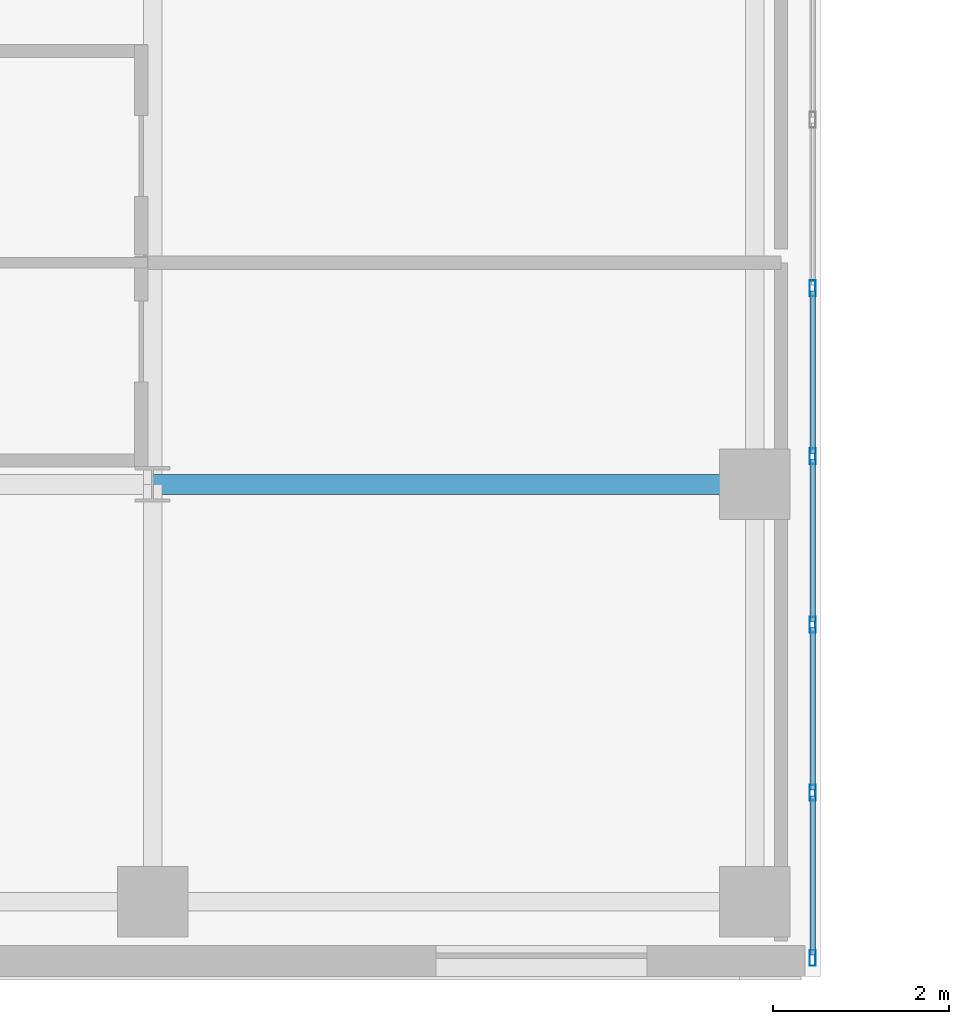
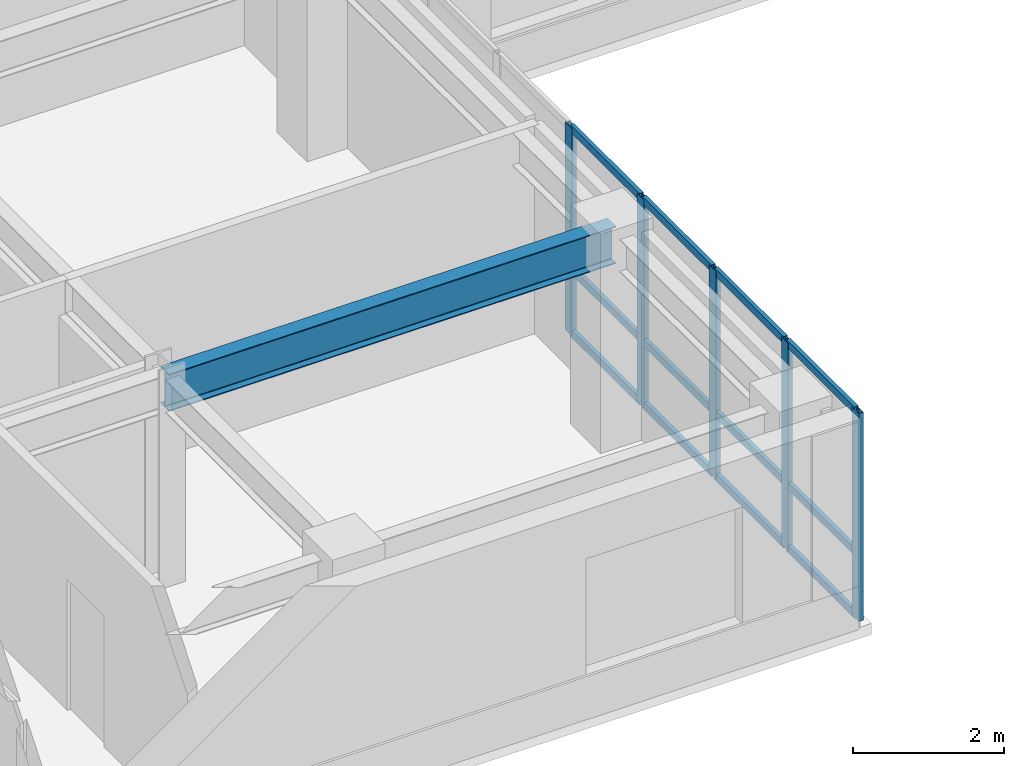
# One storey, part 3 of 20: 17 members, 1 beam, 1 element without a shape of its own.
"""IFC4 building model written with IfcOpenShell, lengths in metres."""

from ifc_helpers import new_model, si_unit, direction, frame, origin, origin_2d, place, context, subcontext, project, spatial, hollow_rectangle, i_section, extrude, source, transform, mapped, material, layer, layer_set, material_profile, profile_set, type_object, type_shapes, element, aggregate, save


model = new_model("IFC4")

# Units and contexts
model_context = context("Model", 3, precision=1e-05, world=origin(), true_north=direction((0.0, 1.0)))
body_context = subcontext(model_context, "Body", "Model", "MODEL_VIEW")
ifc_project = project(units=[si_unit("LENGTHUNIT", "METRE"), si_unit("AREAUNIT", "SQUARE_METRE"), si_unit("VOLUMEUNIT", "CUBIC_METRE"), si_unit("PLANEANGLEUNIT", "RADIAN"), si_unit("MASSUNIT", "GRAM", prefix="KILO")], contexts=[model_context])

# Site, building, storey
site_placement = place(None, origin())
site = spatial("IfcSite", under=ifc_project, at=site_placement, CompositionType="ELEMENT")
building_placement = place(site_placement, origin())
building = spatial("IfcBuilding", under=site, at=building_placement, Name="Tolvann Quenvar Hotel", CompositionType="ELEMENT")
storey_placement = place(building_placement, frame((0.0, 0.0, 175.449951171875)))
storey = spatial("IfcBuildingStorey", under=building, at=storey_placement, Name="L46", CompositionType="ELEMENT", Elevation=175.449951171875)

# Beam
ifc_material_1 = material(Name="Steel Grade 350", Category="steel")
ifc_material_profile_1 = material_profile(ifc_material_1, i_section(OverallWidth=0.22802734375, OverallDepth=0.60205078125, WebThickness=0.010498046875, FlangeThickness=0.014892578125, FilletRadius=0.013916015625, at=origin_2d()), Name="610UB101")
ifc_profile_set_1 = profile_set([ifc_material_profile_1], Name="Steel Grade 350")
beam_type = type_object("IfcBeamType", Name="BM_GIRD_610UB101", PredefinedType="BEAM", material=ifc_profile_set_1)
shared_shape_1 = source(origin(), body_context, "Body", "SweptSolid", [
    extrude(i_section(OverallWidth=0.22802734375, OverallDepth=0.60205078125, WebThickness=0.010498046875, FlangeThickness=0.014892578125, FilletRadius=0.013916015625, at=origin_2d()), origin(), (0.0, 0.0, 1.0), 6.85009765625),
])
type_shapes(beam_type, [shared_shape_1])
beam_placement = place(storey_placement, frame((15.199951171875, 8.199951171875, 3.069091796875), z_axis=(1.0, 0.0, 0.0), x_axis=(0.0, 1.0, 0.0)))
element("IfcBeam", 1, at=beam_placement, inside=storey, type_object=beam_type, Name="BM-L46-EW-3-D3-E3", PredefinedType="BEAM", context=body_context, shape_type="MappedRepresentation", body=[
    mapped(shared_shape_1, transform((0.0, 0.0, 0.0), x_axis=(1.0, 0.0, 0.0), y_axis=(0.0, 1.0, 0.0), z_axis=(0.0, 0.0, 1.0), scale=1.0)),
])

# Curtain wall, members
ifc_material_2 = material(Name="Thermally broken anodised architectural aluminium 6063-T6 and laminated low-E glass", Category="aluminium")
ifc_layer = layer(ifc_material_2, 0.179931640625)
ifc_layer_set = layer_set([ifc_layer], Name="Thermally broken anodised architectural aluminium 6063-T6 and laminated low-E glass")
curtain_wall_type = type_object("IfcCurtainWallType", Name="CW_SYS_SLOT_03", PredefinedType="USERDEFINED", material=ifc_layer_set)
curtain_wall_placement = place(storey_placement, origin())
curtain_wall = element("IfcCurtainWall", 2, at=curtain_wall_placement, inside=storey, type_object=curtain_wall_type, Name="Curtain Wall CW-SLOT-03 (CWR-L46-E05)", ObjectType="UNITISED CURTAIN WALL", PredefinedType="USERDEFINED")
ifc_material_3 = material(Name="Anodised architectural aluminium 6063-T6 framing", Category="aluminium")
ifc_material_profile_2 = material_profile(ifc_material_3, hollow_rectangle(XDim=0.070068359375, YDim=0.179931640625, WallThickness=0.00390625, at=origin_2d()), Name="180x70x4RHS")
ifc_profile_set_2 = profile_set([ifc_material_profile_2], Name="Anodised architectural aluminium 6063-T6 framing")
member_type_1 = type_object("IfcMemberType", Name="CW_MULL_180x70", PredefinedType="MULLION", material=ifc_profile_set_2)
shared_shape_2 = source(origin(), body_context, "Body", "SweptSolid", [
    extrude(hollow_rectangle(XDim=0.070068359375, YDim=0.179931640625, WallThickness=0.00390625, at=origin_2d()), origin(), (0.0, 0.0, 1.0), 3.3701171875),
])
type_shapes(member_type_1, [shared_shape_2])
member_1_placement = place(storey_placement, frame((22.7099609375, 2.81005859375, 0.0), z_axis=(0.0, 0.0, 1.0), x_axis=(-1.0, 0.0, 0.0)))
member_1 = element("IfcMember", 3, at=member_1_placement, type_object=member_type_1, Name="CW-SLOT-03 mullion 1", PredefinedType="MULLION", context=body_context, shape_type="MappedRepresentation", body=[
    mapped(shared_shape_2, transform((0.0, 0.0, 0.0), x_axis=(1.0, 0.0, 0.0), y_axis=(0.0, 1.0, 0.0), z_axis=(0.0, 0.0, 1.0), scale=1.0)),
])
member_2_placement = place(storey_placement, frame((22.7099609375, 4.689208984375, 0.0), z_axis=(0.0, 0.0, 1.0), x_axis=(-1.0, 0.0, 0.0)))
member_2 = element("IfcMember", 4, at=member_2_placement, type_object=member_type_1, Name="CW-SLOT-03 mullion 2", PredefinedType="MULLION", context=body_context, shape_type="MappedRepresentation", body=[
    mapped(shared_shape_2, transform((0.0, 0.0, 0.0), x_axis=(1.0, 0.0, 0.0), y_axis=(0.0, 1.0, 0.0), z_axis=(0.0, 0.0, 1.0), scale=1.0)),
])
member_3_placement = place(storey_placement, frame((22.7099609375, 6.603515625, 0.0), z_axis=(0.0, 0.0, 1.0), x_axis=(-1.0, 0.0, 0.0)))
member_3 = element("IfcMember", 5, at=member_3_placement, type_object=member_type_1, Name="CW-SLOT-03 mullion 3", PredefinedType="MULLION", context=body_context, shape_type="MappedRepresentation", body=[
    mapped(shared_shape_2, transform((0.0, 0.0, 0.0), x_axis=(1.0, 0.0, 0.0), y_axis=(0.0, 1.0, 0.0), z_axis=(0.0, 0.0, 1.0), scale=1.0)),
])
member_4_placement = place(storey_placement, frame((22.7099609375, 8.517822265625, 0.0), z_axis=(0.0, 0.0, 1.0), x_axis=(-1.0, 0.0, 0.0)))
member_4 = element("IfcMember", 6, at=member_4_placement, type_object=member_type_1, Name="CW-SLOT-03 mullion 4", PredefinedType="MULLION", context=body_context, shape_type="MappedRepresentation", body=[
    mapped(shared_shape_2, transform((0.0, 0.0, 0.0), x_axis=(1.0, 0.0, 0.0), y_axis=(0.0, 1.0, 0.0), z_axis=(0.0, 0.0, 1.0), scale=1.0)),
])
member_5_placement = place(storey_placement, frame((22.7099609375, 10.43212890625, 0.0), z_axis=(0.0, 0.0, 1.0), x_axis=(-1.0, 0.0, 0.0)))
member_5 = element("IfcMember", 7, at=member_5_placement, type_object=member_type_1, Name="CW-SLOT-03 mullion 5", PredefinedType="MULLION", context=body_context, shape_type="MappedRepresentation", body=[
    mapped(shared_shape_2, transform((0.0, 0.0, 0.0), x_axis=(1.0, 0.0, 0.0), y_axis=(0.0, 1.0, 0.0), z_axis=(0.0, 0.0, 1.0), scale=1.0)),
])
ifc_material_profile_3 = material_profile(ifc_material_3, hollow_rectangle(XDim=0.06005859375, YDim=0.1201171875, WallThickness=0.00341796875, at=origin_2d()), Name="120x60x3.5RHS")
ifc_profile_set_3 = profile_set([ifc_material_profile_3], Name="Anodised architectural aluminium 6063-T6 framing")
member_type_2 = type_object("IfcMemberType", Name="CW_TRAN_120x60", PredefinedType="USERDEFINED", material=ifc_profile_set_3)
shared_shape_3 = source(origin(), body_context, "Body", "SweptSolid", [
    extrude(hollow_rectangle(XDim=0.06005859375, YDim=0.1201171875, WallThickness=0.00341796875, at=origin_2d()), origin(), (0.0, 0.0, 1.0), 1.809326171875),
])
member_6_placement = place(storey_placement, frame((22.7099609375, 2.844970703125, 0.030029296875), z_axis=(0.0, 1.0, 0.0), x_axis=(-1.0, 0.0, 0.0)))
member_6 = element("IfcMember", 8, at=member_6_placement, type_object=member_type_2, Name="CW-SLOT-03 transom 1.1", ObjectType="TRANSOM", PredefinedType="USERDEFINED", context=body_context, shape_type="MappedRepresentation", body=[
    mapped(shared_shape_3, transform((0.0, 0.0, 0.0), x_axis=(1.0, 0.0, 0.0), y_axis=(0.0, 1.0, 0.0), z_axis=(0.0, 0.0, 1.0), scale=1.0)),
])
member_7_placement = place(storey_placement, frame((22.7099609375, 2.844970703125, 1.050048828125), z_axis=(0.0, 1.0, 0.0), x_axis=(-1.0, 0.0, 0.0)))
member_7 = element("IfcMember", 9, at=member_7_placement, type_object=member_type_2, Name="CW-SLOT-03 transom 1.2", ObjectType="TRANSOM", PredefinedType="USERDEFINED", context=body_context, shape_type="MappedRepresentation", body=[
    mapped(shared_shape_3, transform((0.0, 0.0, 0.0), x_axis=(1.0, 0.0, 0.0), y_axis=(0.0, 1.0, 0.0), z_axis=(0.0, 0.0, 1.0), scale=1.0)),
])
member_8_placement = place(storey_placement, frame((22.7099609375, 2.844970703125, 3.340087890625), z_axis=(0.0, 1.0, 0.0), x_axis=(-1.0, 0.0, 0.0)))
member_8 = element("IfcMember", 10, at=member_8_placement, type_object=member_type_2, Name="CW-SLOT-03 transom 1.3", ObjectType="TRANSOM", PredefinedType="USERDEFINED", context=body_context, shape_type="MappedRepresentation", body=[
    mapped(shared_shape_3, transform((0.0, 0.0, 0.0), x_axis=(1.0, 0.0, 0.0), y_axis=(0.0, 1.0, 0.0), z_axis=(0.0, 0.0, 1.0), scale=1.0)),
])
shared_shape_4 = source(origin(), body_context, "Body", "SweptSolid", [
    extrude(hollow_rectangle(XDim=0.06005859375, YDim=0.1201171875, WallThickness=0.00341796875, at=origin_2d()), origin(), (0.0, 0.0, 1.0), 1.84423828125),
])
type_shapes(member_type_2, [shared_shape_3, shared_shape_4])
member_9_placement = place(storey_placement, frame((22.7099609375, 4.724365234375, 0.030029296875), z_axis=(0.0, 1.0, 0.0), x_axis=(-1.0, 0.0, 0.0)))
member_9 = element("IfcMember", 11, at=member_9_placement, type_object=member_type_2, Name="CW-SLOT-03 transom 2.1", ObjectType="TRANSOM", PredefinedType="USERDEFINED", context=body_context, shape_type="MappedRepresentation", body=[
    mapped(shared_shape_4, transform((0.0, 0.0, 0.0), x_axis=(1.0, 0.0, 0.0), y_axis=(0.0, 1.0, 0.0), z_axis=(0.0, 0.0, 1.0), scale=1.0)),
])
member_10_placement = place(storey_placement, frame((22.7099609375, 4.724365234375, 1.050048828125), z_axis=(0.0, 1.0, 0.0), x_axis=(-1.0, 0.0, 0.0)))
member_10 = element("IfcMember", 12, at=member_10_placement, type_object=member_type_2, Name="CW-SLOT-03 transom 2.2", ObjectType="TRANSOM", PredefinedType="USERDEFINED", context=body_context, shape_type="MappedRepresentation", body=[
    mapped(shared_shape_4, transform((0.0, 0.0, 0.0), x_axis=(1.0, 0.0, 0.0), y_axis=(0.0, 1.0, 0.0), z_axis=(0.0, 0.0, 1.0), scale=1.0)),
])
member_11_placement = place(storey_placement, frame((22.7099609375, 4.724365234375, 3.340087890625), z_axis=(0.0, 1.0, 0.0), x_axis=(-1.0, 0.0, 0.0)))
member_11 = element("IfcMember", 13, at=member_11_placement, type_object=member_type_2, Name="CW-SLOT-03 transom 2.3", ObjectType="TRANSOM", PredefinedType="USERDEFINED", context=body_context, shape_type="MappedRepresentation", body=[
    mapped(shared_shape_4, transform((0.0, 0.0, 0.0), x_axis=(1.0, 0.0, 0.0), y_axis=(0.0, 1.0, 0.0), z_axis=(0.0, 0.0, 1.0), scale=1.0)),
])
member_12_placement = place(storey_placement, frame((22.7099609375, 6.638671875, 0.030029296875), z_axis=(0.0, 1.0, 0.0), x_axis=(-1.0, 0.0, 0.0)))
member_12 = element("IfcMember", 14, at=member_12_placement, type_object=member_type_2, Name="CW-SLOT-03 transom 3.1", ObjectType="TRANSOM", PredefinedType="USERDEFINED", context=body_context, shape_type="MappedRepresentation", body=[
    mapped(shared_shape_4, transform((0.0, 0.0, 0.0), x_axis=(1.0, 0.0, 0.0), y_axis=(0.0, 1.0, 0.0), z_axis=(0.0, 0.0, 1.0), scale=1.0)),
])
member_13_placement = place(storey_placement, frame((22.7099609375, 6.638671875, 1.050048828125), z_axis=(0.0, 1.0, 0.0), x_axis=(-1.0, 0.0, 0.0)))
member_13 = element("IfcMember", 15, at=member_13_placement, type_object=member_type_2, Name="CW-SLOT-03 transom 3.2", ObjectType="TRANSOM", PredefinedType="USERDEFINED", context=body_context, shape_type="MappedRepresentation", body=[
    mapped(shared_shape_4, transform((0.0, 0.0, 0.0), x_axis=(1.0, 0.0, 0.0), y_axis=(0.0, 1.0, 0.0), z_axis=(0.0, 0.0, 1.0), scale=1.0)),
])
member_14_placement = place(storey_placement, frame((22.7099609375, 6.638671875, 3.340087890625), z_axis=(0.0, 1.0, 0.0), x_axis=(-1.0, 0.0, 0.0)))
member_14 = element("IfcMember", 16, at=member_14_placement, type_object=member_type_2, Name="CW-SLOT-03 transom 3.3", ObjectType="TRANSOM", PredefinedType="USERDEFINED", context=body_context, shape_type="MappedRepresentation", body=[
    mapped(shared_shape_4, transform((0.0, 0.0, 0.0), x_axis=(1.0, 0.0, 0.0), y_axis=(0.0, 1.0, 0.0), z_axis=(0.0, 0.0, 1.0), scale=1.0)),
])
member_15_placement = place(storey_placement, frame((22.7099609375, 8.552978515625, 0.030029296875), z_axis=(0.0, 1.0, 0.0), x_axis=(-1.0, 0.0, 0.0)))
member_15 = element("IfcMember", 17, at=member_15_placement, type_object=member_type_2, Name="CW-SLOT-03 transom 4.1", ObjectType="TRANSOM", PredefinedType="USERDEFINED", context=body_context, shape_type="MappedRepresentation", body=[
    mapped(shared_shape_4, transform((0.0, 0.0, 0.0), x_axis=(1.0, 0.0, 0.0), y_axis=(0.0, 1.0, 0.0), z_axis=(0.0, 0.0, 1.0), scale=1.0)),
])
member_16_placement = place(storey_placement, frame((22.7099609375, 8.552978515625, 1.050048828125), z_axis=(0.0, 1.0, 0.0), x_axis=(-1.0, 0.0, 0.0)))
member_16 = element("IfcMember", 18, at=member_16_placement, type_object=member_type_2, Name="CW-SLOT-03 transom 4.2", ObjectType="TRANSOM", PredefinedType="USERDEFINED", context=body_context, shape_type="MappedRepresentation", body=[
    mapped(shared_shape_4, transform((0.0, 0.0, 0.0), x_axis=(1.0, 0.0, 0.0), y_axis=(0.0, 1.0, 0.0), z_axis=(0.0, 0.0, 1.0), scale=1.0)),
])
member_17_placement = place(storey_placement, frame((22.7099609375, 8.552978515625, 3.340087890625), z_axis=(0.0, 1.0, 0.0), x_axis=(-1.0, 0.0, 0.0)))
member_17 = element("IfcMember", 19, at=member_17_placement, type_object=member_type_2, Name="CW-SLOT-03 transom 4.3", ObjectType="TRANSOM", PredefinedType="USERDEFINED", context=body_context, shape_type="MappedRepresentation", body=[
    mapped(shared_shape_4, transform((0.0, 0.0, 0.0), x_axis=(1.0, 0.0, 0.0), y_axis=(0.0, 1.0, 0.0), z_axis=(0.0, 0.0, 1.0), scale=1.0)),
])
aggregate(curtain_wall, [member_1, member_2, member_3, member_4, member_5, member_6, member_7, member_8, member_9, member_10, member_11, member_12, member_13, member_14, member_15, member_16, member_17])

save(model, "model.ifc")
